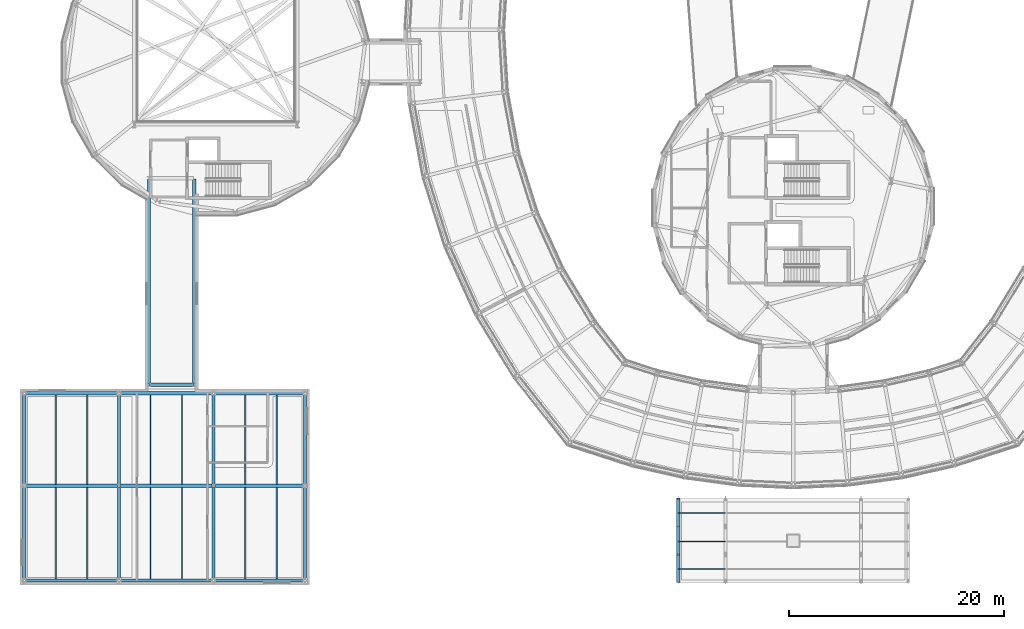
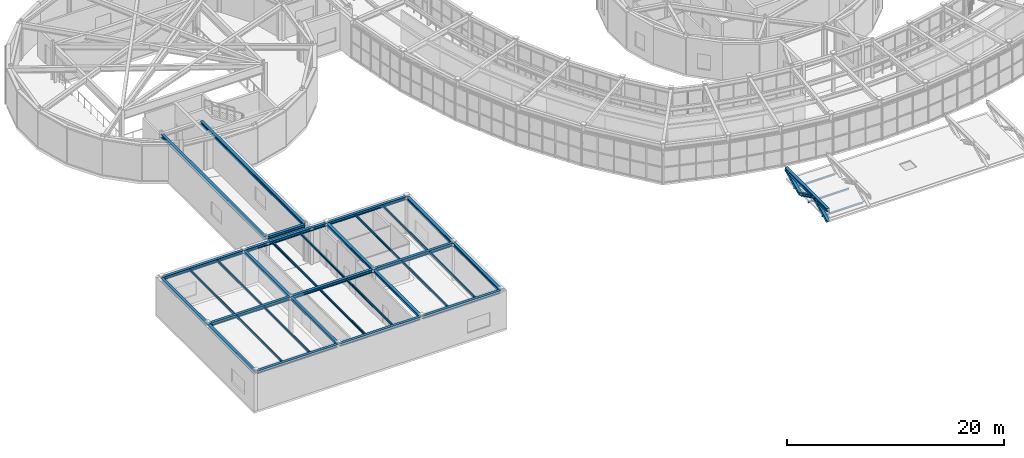
# One storey, part 18 of 103: 32 beams, 7 members.
"""IFC4 building model written with IfcOpenShell, lengths in metres."""

from ifc_helpers import new_model, si_unit, direction, frame, origin, origin_2d, place, context, subcontext, project, spatial, i_section, extrude, material, material_profile, profile_set, type_object, element, save


model = new_model("IFC4")

# Units and contexts
model_context = context("Model", 3, precision=1e-05, world=origin(), true_north=direction((0.0, 1.0)))
body_context = subcontext(model_context, "Body", "Model", "MODEL_VIEW")
ifc_project = project(units=[si_unit("LENGTHUNIT", "METRE"), si_unit("AREAUNIT", "SQUARE_METRE"), si_unit("VOLUMEUNIT", "CUBIC_METRE"), si_unit("PLANEANGLEUNIT", "RADIAN"), si_unit("MASSUNIT", "GRAM", prefix="KILO")], contexts=[model_context])

# Site, building, storey
site_placement = place(None, origin())
site = spatial("IfcSite", under=ifc_project, at=site_placement, CompositionType="ELEMENT")
building_placement = place(site_placement, origin())
building = spatial("IfcBuilding", under=site, at=building_placement, Name="Varnklinge Art Gallery", CompositionType="ELEMENT")
storey_placement = place(building_placement, frame((0.0, 0.0, 5.10009765625)))
storey = spatial("IfcBuildingStorey", under=building, at=storey_placement, Name="L01", CompositionType="ELEMENT", Elevation=5.10009765625)

# Beams
ifc_material_1 = material(Name="Steel S355", Category="steel")
ifc_material_profile_1 = material_profile(ifc_material_1, i_section(OverallWidth=0.300048828125, OverallDepth=0.35009765625, WebThickness=0.010009765625, FlangeThickness=0.017578125, FilletRadius=0.027099609375, at=origin_2d()), Name="HEA 360")
ifc_profile_set_1 = profile_set([ifc_material_profile_1], Name="Steel S355")
beam_type_1 = type_object("IfcBeamType", Name="BM-10", PredefinedType="BEAM", material=ifc_profile_set_1)
for number, where, z_axis, x_axis, name in (
    (1, (4.139892578125, 12.60009765625, 4.044921875), (1.0, 0.0, 0.0), (0.0, 1.0, 0.0), "L01 BM-10 BM-V6SW-L02-X1-0"),
    (2, (12.93994140625, 12.60009765625, 4.044921875), (1.0, 0.0, 0.0), (0.0, 1.0, 0.0), "L01 BM-10 BM-V6SW-L02-X1-1"),
):
    element("IfcBeam", number, at=place(storey_placement, frame(where, z_axis=z_axis, x_axis=x_axis)), inside=storey, type_object=beam_type_1, Name=name, PredefinedType="BEAM", context=body_context, shape_type="SweptSolid", body=[
        extrude(i_section(OverallWidth=0.300048828125, OverallDepth=0.35009765625, WebThickness=0.010009765625, FlangeThickness=0.017578125, FilletRadius=0.027099609375, at=origin_2d()), origin(), (0.0, 0.0, 1.0), 8.52001953125),
    ])
beam_1_placement = place(storey_placement, frame((21.739990234375, 12.60009765625, 4.044921875), z_axis=(1.0, 0.0, 0.0), x_axis=(0.0, 1.0, 0.0)))
element("IfcBeam", 3, at=beam_1_placement, inside=storey, type_object=beam_type_1, Name="L01 BM-10 BM-V6SW-L02-X1-2", PredefinedType="BEAM", context=body_context, shape_type="SweptSolid", body=[
    extrude(i_section(OverallWidth=0.300048828125, OverallDepth=0.35009765625, WebThickness=0.010009765625, FlangeThickness=0.017578125, FilletRadius=0.027099609375, at=origin_2d()), origin(), (0.0, 0.0, 1.0), 8.219970703125),
])
beam_2_placement = place(storey_placement, frame((15.659912109375, 22.0, 4.044921875), z_axis=(1.0, 0.0, 0.0), x_axis=(0.0, 1.0, 0.0)))
element("IfcBeam", 4, at=beam_2_placement, inside=storey, type_object=beam_type_1, Name="L01 BM-10 BM-LNK-SW-ROOF-1", PredefinedType="BEAM", context=body_context, shape_type="SweptSolid", body=[
    extrude(i_section(OverallWidth=0.300048828125, OverallDepth=0.35009765625, WebThickness=0.010009765625, FlangeThickness=0.017578125, FilletRadius=0.027099609375, at=origin_2d()), origin(), (0.0, 0.0, 1.0), 4.080078125),
])
for number, where, z_axis, x_axis, name in (
    (5, (19.800048828125, 22.06005859375, 3.994873046875), (0.0, 1.0, 0.0), (-1.0, 0.0, 0.0), "L01 BM-10 BM-LNK-SW-ROOF-2"),
    (6, (15.60009765625, 41.139892578125, 3.994873046875), (0.0, -1.0, 0.0), (1.0, 0.0, 0.0), "L01 BM-10 BM-LNK-SW-ROOF-4"),
):
    element("IfcBeam", number, at=place(storey_placement, frame(where, z_axis=z_axis, x_axis=x_axis)), inside=storey, type_object=beam_type_1, Name=name, PredefinedType="BEAM", context=body_context, shape_type="SweptSolid", body=[
        extrude(i_section(OverallWidth=0.300048828125, OverallDepth=0.35009765625, WebThickness=0.010009765625, FlangeThickness=0.017578125, FilletRadius=0.027099609375, at=origin_2d()), origin(), (0.0, 0.0, 1.0), 19.079833984375),
    ])
ifc_material_2 = material(Name="Steel S355", Category="steel")
ifc_material_profile_2 = material_profile(ifc_material_2, i_section(OverallWidth=0.300048828125, OverallDepth=0.2900390625, WebThickness=0.008544921875, FlangeThickness=0.013916015625, FilletRadius=0.027099609375, at=origin_2d()), Name="HEA 300")
ifc_profile_set_2 = profile_set([ifc_material_profile_2], Name="Steel S355")
beam_type_2 = type_object("IfcBeamType", Name="BM-11", PredefinedType="BEAM", material=ifc_profile_set_2)
beam_3_placement = place(storey_placement, frame((12.800048828125, 3.93994140625, 4.074951171875), z_axis=(0.0, 1.0, 0.0), x_axis=(-1.0, 0.0, 0.0)))
element("IfcBeam", 7, at=beam_3_placement, inside=storey, type_object=beam_type_2, Name="L01 BM-11 BM-V6SW-L02-Y1-0", PredefinedType="BEAM", context=body_context, shape_type="SweptSolid", body=[
    extrude(i_section(OverallWidth=0.300048828125, OverallDepth=0.2900390625, WebThickness=0.008544921875, FlangeThickness=0.013916015625, FilletRadius=0.027099609375, at=origin_2d()), origin(), (0.0, 0.0, 1.0), 8.52001953125),
])
beam_4_placement = place(storey_placement, frame((12.800048828125, 12.739990234375, 4.074951171875), z_axis=(0.0, 1.0, 0.0), x_axis=(-1.0, 0.0, 0.0)))
element("IfcBeam", 8, at=beam_4_placement, inside=storey, type_object=beam_type_2, Name="L01 BM-11 BM-V6SW-L02-Y1-1", PredefinedType="BEAM", context=body_context, shape_type="SweptSolid", body=[
    extrude(i_section(OverallWidth=0.300048828125, OverallDepth=0.2900390625, WebThickness=0.008544921875, FlangeThickness=0.013916015625, FilletRadius=0.027099609375, at=origin_2d()), origin(), (0.0, 0.0, 1.0), 8.320068359375),
])
beam_5_placement = place(storey_placement, frame((21.60009765625, 3.93994140625, 4.074951171875), z_axis=(0.0, 1.0, 0.0), x_axis=(-1.0, 0.0, 0.0)))
element("IfcBeam", 9, at=beam_5_placement, inside=storey, type_object=beam_type_2, Name="L01 BM-11 BM-V6SW-L02-Y2-0", PredefinedType="BEAM", context=body_context, shape_type="SweptSolid", body=[
    extrude(i_section(OverallWidth=0.300048828125, OverallDepth=0.2900390625, WebThickness=0.008544921875, FlangeThickness=0.013916015625, FilletRadius=0.027099609375, at=origin_2d()), origin(), (0.0, 0.0, 1.0), 8.52001953125),
])
beam_6_placement = place(storey_placement, frame((21.60009765625, 12.739990234375, 4.074951171875), z_axis=(0.0, 1.0, 0.0), x_axis=(-1.0, 0.0, 0.0)))
element("IfcBeam", 10, at=beam_6_placement, inside=storey, type_object=beam_type_2, Name="L01 BM-11 BM-V6SW-L02-Y2-1", PredefinedType="BEAM", context=body_context, shape_type="SweptSolid", body=[
    extrude(i_section(OverallWidth=0.300048828125, OverallDepth=0.2900390625, WebThickness=0.008544921875, FlangeThickness=0.013916015625, FilletRadius=0.027099609375, at=origin_2d()), origin(), (0.0, 0.0, 1.0), 8.320068359375),
])

# Members
ifc_material_3 = material(Name="Steel S355", Category="steel")
ifc_material_profile_3 = material_profile(ifc_material_3, i_section(OverallWidth=0.300048828125, OverallDepth=0.360107421875, WebThickness=0.012451171875, FlangeThickness=0.0224609375, FilletRadius=0.027099609375, at=origin_2d()), Name="HEB 360")
ifc_profile_set_3 = profile_set([ifc_material_profile_3], Name="Steel S355")
member_type_1 = type_object("IfcMemberType", Name="CHD-01", PredefinedType="CHORD", material=ifc_profile_set_3)
member_1_placement = place(storey_placement, frame((64.800048828125, 11.39990234375, 1.0498046875), z_axis=(0.0, -1.0, 0.0), x_axis=(1.0, 0.0, 0.0)))
element("IfcMember", 11, at=member_1_placement, inside=storey, type_object=member_type_1, Name="Entrance Canopy Truss Top Chord 1", PredefinedType="CHORD", context=body_context, shape_type="SweptSolid", body=[
    extrude(i_section(OverallWidth=0.300048828125, OverallDepth=0.360107421875, WebThickness=0.012451171875, FlangeThickness=0.0224609375, FilletRadius=0.027099609375, at=origin_2d()), origin(), (0.0, 0.0, 1.0), 7.699951171875),
])
ifc_material_4 = material(Name="Steel S355", Category="steel")
ifc_material_profile_4 = material_profile(ifc_material_4, i_section(OverallWidth=0.300048828125, OverallDepth=0.300048828125, WebThickness=0.010986328125, FlangeThickness=0.01904296875, FilletRadius=0.027099609375, at=origin_2d()), Name="HEB 300")
ifc_profile_set_4 = profile_set([ifc_material_profile_4], Name="Steel S355")
member_type_2 = type_object("IfcMemberType", Name="CHD-02", PredefinedType="CHORD", material=ifc_profile_set_4)
member_2_placement = place(storey_placement, frame((64.800048828125, 11.39990234375, 1.0498046875), z_axis=(0.0, -0.898523407321, -0.438925604741), x_axis=(1.0, 0.0, 0.0)))
element("IfcMember", 12, at=member_2_placement, inside=storey, type_object=member_type_2, Name="Entrance Canopy Truss Diagonal 1.1", PredefinedType="CHORD", context=body_context, shape_type="SweptSolid", body=[
    extrude(i_section(OverallWidth=0.300048828125, OverallDepth=0.300048828125, WebThickness=0.010986328125, FlangeThickness=0.01904296875, FilletRadius=0.027099609375, at=origin_2d()), origin(), (0.0, 0.0, 1.0), 2.8935546875),
])
member_3_placement = place(storey_placement, frame((64.800048828125, 8.800048828125, -0.22021484375), z_axis=(0.0, -0.89853966105, 0.438892330214), x_axis=(1.0, 0.0, 0.0)))
element("IfcMember", 13, at=member_3_placement, inside=storey, type_object=member_type_2, Name="Entrance Canopy Truss Diagonal 1.2", PredefinedType="CHORD", context=body_context, shape_type="SweptSolid", body=[
    extrude(i_section(OverallWidth=0.300048828125, OverallDepth=0.300048828125, WebThickness=0.010986328125, FlangeThickness=0.01904296875, FilletRadius=0.027099609375, at=origin_2d()), origin(), (0.0, 0.0, 1.0), 2.893798828125),
])
member_4_placement = place(storey_placement, frame((64.800048828125, 6.199951171875, 1.0498046875), z_axis=(0.0, -0.891553198571, -0.452915990133), x_axis=(1.0, 0.0, 0.0)))
element("IfcMember", 14, at=member_4_placement, inside=storey, type_object=member_type_2, Name="Entrance Canopy Truss Diagonal 1.3", PredefinedType="CHORD", context=body_context, shape_type="SweptSolid", body=[
    extrude(i_section(OverallWidth=0.300048828125, OverallDepth=0.300048828125, WebThickness=0.010986328125, FlangeThickness=0.01904296875, FilletRadius=0.027099609375, at=origin_2d()), origin(), (0.0, 0.0, 1.0), 2.80419921875),
])

# Beams
ifc_material_5 = material(Name="Steel S355", Category="steel")
ifc_material_profile_5 = material_profile(ifc_material_5, i_section(OverallWidth=0.1201171875, OverallDepth=0.239990234375, WebThickness=0.006103515625, FlangeThickness=0.009765625, FilletRadius=0.014892578125, at=origin_2d()), Name="IPE 240")
ifc_profile_set_5 = profile_set([ifc_material_profile_5], Name="Steel S355")
beam_type_3 = type_object("IfcBeamType", Name="JST-10", PredefinedType="JOIST", material=ifc_profile_set_5)
for number, where, z_axis, x_axis, name in (
    (15, (6.929931640625, 3.93994140625, 4.099853515625), (0.0, 1.0, 0.0), (-1.0, 0.0, 0.0), "L01 JST-10 JST-V6SW-L02-0-0-1"),
    (16, (9.860107421875, 3.93994140625, 4.099853515625), (0.0, 1.0, 0.0), (-1.0, 0.0, 0.0), "L01 JST-10 JST-V6SW-L02-0-0-2"),
):
    element("IfcBeam", number, at=place(storey_placement, frame(where, z_axis=z_axis, x_axis=x_axis)), inside=storey, type_object=beam_type_3, Name=name, PredefinedType="JOIST", context=body_context, shape_type="SweptSolid", body=[
        extrude(i_section(OverallWidth=0.1201171875, OverallDepth=0.239990234375, WebThickness=0.006103515625, FlangeThickness=0.009765625, FilletRadius=0.014892578125, at=origin_2d()), origin(), (0.0, 0.0, 1.0), 8.52001953125),
    ])
for number, where, z_axis, x_axis, name in (
    (17, (6.929931640625, 12.739990234375, 4.099853515625), (0.0, 1.0, 0.0), (-1.0, 0.0, 0.0), "L01 JST-10 JST-V6SW-L02-0-1-1"),
    (18, (9.860107421875, 12.739990234375, 4.099853515625), (0.0, 1.0, 0.0), (-1.0, 0.0, 0.0), "L01 JST-10 JST-V6SW-L02-0-1-2"),
):
    element("IfcBeam", number, at=place(storey_placement, frame(where, z_axis=z_axis, x_axis=x_axis)), inside=storey, type_object=beam_type_3, Name=name, PredefinedType="JOIST", context=body_context, shape_type="SweptSolid", body=[
        extrude(i_section(OverallWidth=0.1201171875, OverallDepth=0.239990234375, WebThickness=0.006103515625, FlangeThickness=0.009765625, FilletRadius=0.014892578125, at=origin_2d()), origin(), (0.0, 0.0, 1.0), 8.320068359375),
    ])
for number, where, z_axis, x_axis, name in (
    (19, (15.72998046875, 3.93994140625, 4.099853515625), (0.0, 1.0, 0.0), (-1.0, 0.0, 0.0), "L01 JST-10 JST-V6SW-L02-1-0-1"),
    (20, (18.659912109375, 3.93994140625, 4.099853515625), (0.0, 1.0, 0.0), (-1.0, 0.0, 0.0), "L01 JST-10 JST-V6SW-L02-1-0-2"),
):
    element("IfcBeam", number, at=place(storey_placement, frame(where, z_axis=z_axis, x_axis=x_axis)), inside=storey, type_object=beam_type_3, Name=name, PredefinedType="JOIST", context=body_context, shape_type="SweptSolid", body=[
        extrude(i_section(OverallWidth=0.1201171875, OverallDepth=0.239990234375, WebThickness=0.006103515625, FlangeThickness=0.009765625, FilletRadius=0.014892578125, at=origin_2d()), origin(), (0.0, 0.0, 1.0), 8.52001953125),
    ])
for number, where, z_axis, x_axis, name in (
    (21, (15.72998046875, 12.739990234375, 4.099853515625), (0.0, 1.0, 0.0), (-1.0, 0.0, 0.0), "L01 JST-10 JST-V6SW-L02-1-1-1"),
    (22, (18.659912109375, 12.739990234375, 4.099853515625), (0.0, 1.0, 0.0), (-1.0, 0.0, 0.0), "L01 JST-10 JST-V6SW-L02-1-1-2"),
):
    element("IfcBeam", number, at=place(storey_placement, frame(where, z_axis=z_axis, x_axis=x_axis)), inside=storey, type_object=beam_type_3, Name=name, PredefinedType="JOIST", context=body_context, shape_type="SweptSolid", body=[
        extrude(i_section(OverallWidth=0.1201171875, OverallDepth=0.239990234375, WebThickness=0.006103515625, FlangeThickness=0.009765625, FilletRadius=0.014892578125, at=origin_2d()), origin(), (0.0, 0.0, 1.0), 8.320068359375),
    ])
for number, where, z_axis, x_axis, name in (
    (23, (24.530029296875, 3.93994140625, 4.099853515625), (0.0, 1.0, 0.0), (-1.0, 0.0, 0.0), "L01 JST-10 JST-V6SW-L02-2-0-1"),
    (24, (27.4599609375, 3.93994140625, 4.099853515625), (0.0, 1.0, 0.0), (-1.0, 0.0, 0.0), "L01 JST-10 JST-V6SW-L02-2-0-2"),
):
    element("IfcBeam", number, at=place(storey_placement, frame(where, z_axis=z_axis, x_axis=x_axis)), inside=storey, type_object=beam_type_3, Name=name, PredefinedType="JOIST", context=body_context, shape_type="SweptSolid", body=[
        extrude(i_section(OverallWidth=0.1201171875, OverallDepth=0.239990234375, WebThickness=0.006103515625, FlangeThickness=0.009765625, FilletRadius=0.014892578125, at=origin_2d()), origin(), (0.0, 0.0, 1.0), 8.52001953125),
    ])
for number, where, z_axis, x_axis, name in (
    (25, (24.530029296875, 12.739990234375, 4.099853515625), (0.0, 1.0, 0.0), (-1.0, 0.0, 0.0), "L01 JST-10 JST-V6SW-L02-2-1-1"),
    (26, (27.4599609375, 12.739990234375, 4.099853515625), (0.0, 1.0, 0.0), (-1.0, 0.0, 0.0), "L01 JST-10 JST-V6SW-L02-2-1-2"),
):
    element("IfcBeam", number, at=place(storey_placement, frame(where, z_axis=z_axis, x_axis=x_axis)), inside=storey, type_object=beam_type_3, Name=name, PredefinedType="JOIST", context=body_context, shape_type="SweptSolid", body=[
        extrude(i_section(OverallWidth=0.1201171875, OverallDepth=0.239990234375, WebThickness=0.006103515625, FlangeThickness=0.009765625, FilletRadius=0.014892578125, at=origin_2d()), origin(), (0.0, 0.0, 1.0), 8.320068359375),
    ])

# Members
ifc_material_6 = material(Name="Steel S355", Category="steel")
ifc_material_profile_6 = material_profile(ifc_material_6, i_section(OverallWidth=0.10009765625, OverallDepth=0.199951171875, WebThickness=0.005615234375, FlangeThickness=0.008544921875, FilletRadius=0.011962890625, at=origin_2d()), Name="IPE 200")
ifc_profile_set_6 = profile_set([ifc_material_profile_6], Name="Steel S355")
member_type_3 = type_object("IfcMemberType", Name="PRL-01", PredefinedType="PURLIN", material=ifc_profile_set_6)
for number, where, z_axis, x_axis, name in (
    (27, (64.800048828125, 4.85009765625, -0.320068359375), (1.0, 0.0, 0.0), (0.0, 1.0, 0.0), "Canopy Purlin 1.1"),
    (28, (64.800048828125, 7.419921875, -0.320068359375), (1.0, 0.0, 0.0), (0.0, 1.0, 0.0), "Canopy Purlin 2.1"),
    (29, (64.800048828125, 10.080078125, -0.320068359375), (1.0, 0.0, 0.0), (0.0, 1.0, 0.0), "Canopy Purlin 3.1"),
):
    element("IfcMember", number, at=place(storey_placement, frame(where, z_axis=z_axis, x_axis=x_axis)), inside=storey, type_object=member_type_3, Name=name, PredefinedType="PURLIN", context=body_context, shape_type="SweptSolid", body=[
        extrude(i_section(OverallWidth=0.10009765625, OverallDepth=0.199951171875, WebThickness=0.005615234375, FlangeThickness=0.008544921875, FilletRadius=0.011962890625, at=origin_2d()), origin(), (0.0, 0.0, 1.0), 4.39990234375),
    ])

# Beams
ifc_material_7 = material(Name="Steel S355", Category="steel")
ifc_material_profile_7 = material_profile(ifc_material_7, i_section(OverallWidth=0.300048828125, OverallDepth=0.35009765625, WebThickness=0.010009765625, FlangeThickness=0.017578125, FilletRadius=0.027099609375, at=origin_2d()), Name="HEA 360")
ifc_profile_set_7 = profile_set([ifc_material_profile_7], Name="Steel S355")
beam_type_4 = type_object("IfcBeamType", Name="SPB-04", PredefinedType="SPANDREL", material=ifc_profile_set_7)
for number, where, z_axis, x_axis, name in (
    (30, (4.139892578125, 3.800048828125, 4.044921875), (1.0, 0.0, 0.0), (0.0, 1.0, 0.0), "L01 SPB-04 BM-V6SW-L02-X0-0"),
    (31, (12.93994140625, 3.800048828125, 4.044921875), (1.0, 0.0, 0.0), (0.0, 1.0, 0.0), "L01 SPB-04 BM-V6SW-L02-X0-1"),
):
    element("IfcBeam", number, at=place(storey_placement, frame(where, z_axis=z_axis, x_axis=x_axis)), inside=storey, type_object=beam_type_4, Name=name, PredefinedType="SPANDREL", context=body_context, shape_type="SweptSolid", body=[
        extrude(i_section(OverallWidth=0.300048828125, OverallDepth=0.35009765625, WebThickness=0.010009765625, FlangeThickness=0.017578125, FilletRadius=0.027099609375, at=origin_2d()), origin(), (0.0, 0.0, 1.0), 8.52001953125),
    ])
beam_7_placement = place(storey_placement, frame((21.739990234375, 3.800048828125, 4.044921875), z_axis=(1.0, 0.0, 0.0), x_axis=(0.0, 1.0, 0.0)))
element("IfcBeam", 32, at=beam_7_placement, inside=storey, type_object=beam_type_4, Name="L01 SPB-04 BM-V6SW-L02-X0-2", PredefinedType="SPANDREL", context=body_context, shape_type="SweptSolid", body=[
    extrude(i_section(OverallWidth=0.300048828125, OverallDepth=0.35009765625, WebThickness=0.010009765625, FlangeThickness=0.017578125, FilletRadius=0.027099609375, at=origin_2d()), origin(), (0.0, 0.0, 1.0), 8.219970703125),
])
for number, where, z_axis, x_axis, name in (
    (33, (4.139892578125, 21.199951171875, 4.044921875), (1.0, 0.0, 0.0), (0.0, 1.0, 0.0), "L01 SPB-04 BM-V6SW-L02-X2-0"),
    (34, (12.93994140625, 21.199951171875, 4.044921875), (1.0, 0.0, 0.0), (0.0, 1.0, 0.0), "L01 SPB-04 BM-V6SW-L02-X2-1"),
):
    element("IfcBeam", number, at=place(storey_placement, frame(where, z_axis=z_axis, x_axis=x_axis)), inside=storey, type_object=beam_type_4, Name=name, PredefinedType="SPANDREL", context=body_context, shape_type="SweptSolid", body=[
        extrude(i_section(OverallWidth=0.300048828125, OverallDepth=0.35009765625, WebThickness=0.010009765625, FlangeThickness=0.017578125, FilletRadius=0.027099609375, at=origin_2d()), origin(), (0.0, 0.0, 1.0), 8.52001953125),
    ])
beam_8_placement = place(storey_placement, frame((21.739990234375, 21.199951171875, 4.044921875), z_axis=(1.0, 0.0, 0.0), x_axis=(0.0, 1.0, 0.0)))
element("IfcBeam", 35, at=beam_8_placement, inside=storey, type_object=beam_type_4, Name="L01 SPB-04 BM-V6SW-L02-X2-2", PredefinedType="SPANDREL", context=body_context, shape_type="SweptSolid", body=[
    extrude(i_section(OverallWidth=0.300048828125, OverallDepth=0.35009765625, WebThickness=0.010009765625, FlangeThickness=0.017578125, FilletRadius=0.027099609375, at=origin_2d()), origin(), (0.0, 0.0, 1.0), 8.219970703125),
])
beam_9_placement = place(storey_placement, frame((4.0, 3.93994140625, 4.044921875), z_axis=(0.0, 1.0, 0.0), x_axis=(-1.0, 0.0, 0.0)))
element("IfcBeam", 36, at=beam_9_placement, inside=storey, type_object=beam_type_4, Name="L01 SPB-04 BM-V6SW-L02-Y0-0", PredefinedType="SPANDREL", context=body_context, shape_type="SweptSolid", body=[
    extrude(i_section(OverallWidth=0.300048828125, OverallDepth=0.35009765625, WebThickness=0.010009765625, FlangeThickness=0.017578125, FilletRadius=0.027099609375, at=origin_2d()), origin(), (0.0, 0.0, 1.0), 8.52001953125),
])
beam_10_placement = place(storey_placement, frame((4.0, 12.739990234375, 4.044921875), z_axis=(0.0, 1.0, 0.0), x_axis=(-1.0, 0.0, 0.0)))
element("IfcBeam", 37, at=beam_10_placement, inside=storey, type_object=beam_type_4, Name="L01 SPB-04 BM-V6SW-L02-Y0-1", PredefinedType="SPANDREL", context=body_context, shape_type="SweptSolid", body=[
    extrude(i_section(OverallWidth=0.300048828125, OverallDepth=0.35009765625, WebThickness=0.010009765625, FlangeThickness=0.017578125, FilletRadius=0.027099609375, at=origin_2d()), origin(), (0.0, 0.0, 1.0), 8.320068359375),
])
beam_11_placement = place(storey_placement, frame((30.10009765625, 3.93994140625, 4.044921875), z_axis=(0.0, 1.0, 0.0), x_axis=(-1.0, 0.0, 0.0)))
element("IfcBeam", 38, at=beam_11_placement, inside=storey, type_object=beam_type_4, Name="L01 SPB-04 BM-V6SW-L02-Y3-0", PredefinedType="SPANDREL", context=body_context, shape_type="SweptSolid", body=[
    extrude(i_section(OverallWidth=0.300048828125, OverallDepth=0.35009765625, WebThickness=0.010009765625, FlangeThickness=0.017578125, FilletRadius=0.027099609375, at=origin_2d()), origin(), (0.0, 0.0, 1.0), 8.52001953125),
])
beam_12_placement = place(storey_placement, frame((30.10009765625, 12.739990234375, 4.044921875), z_axis=(0.0, 1.0, 0.0), x_axis=(-1.0, 0.0, 0.0)))
element("IfcBeam", 39, at=beam_12_placement, inside=storey, type_object=beam_type_4, Name="L01 SPB-04 BM-V6SW-L02-Y3-1", PredefinedType="SPANDREL", context=body_context, shape_type="SweptSolid", body=[
    extrude(i_section(OverallWidth=0.300048828125, OverallDepth=0.35009765625, WebThickness=0.010009765625, FlangeThickness=0.017578125, FilletRadius=0.027099609375, at=origin_2d()), origin(), (0.0, 0.0, 1.0), 8.320068359375),
])

save(model, "model.ifc")
